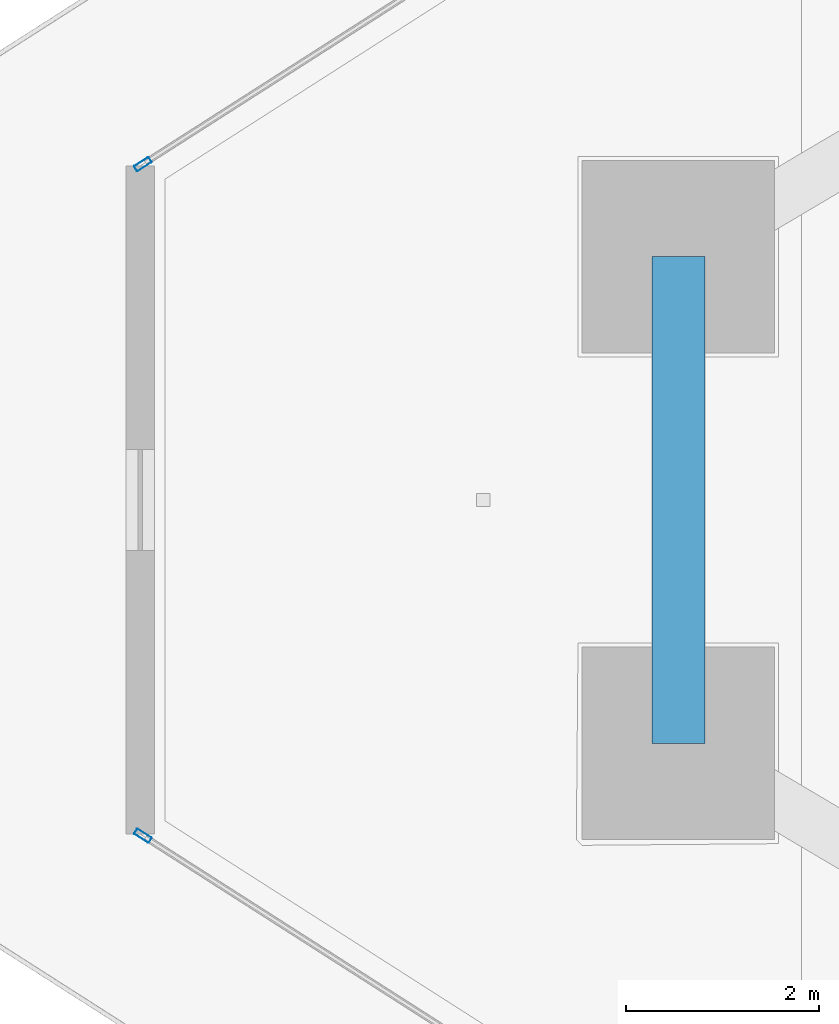
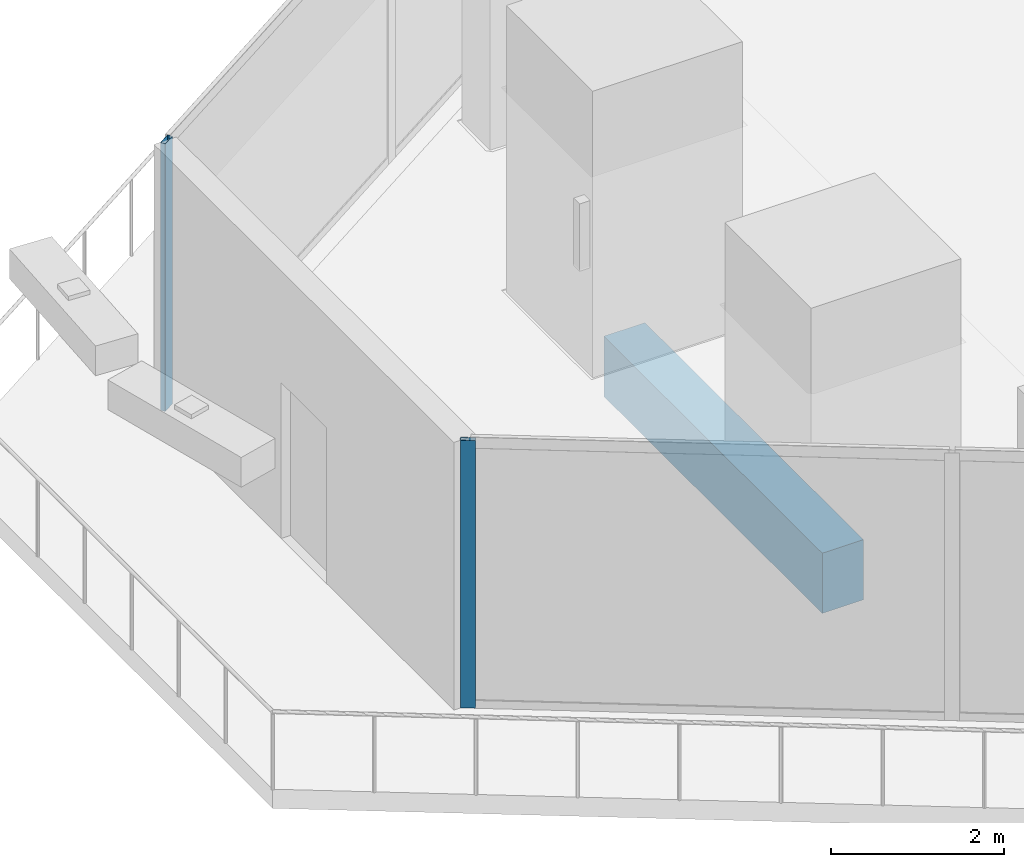
# One storey, part 7 of 36: 2 members, 1 beam, 2 elements without a shape of their own.
"""IFC4 building model written with IfcOpenShell, lengths in metres."""

from ifc_helpers import new_model, si_unit, direction, frame, origin, origin_2d, place, context, subcontext, project, spatial, rectangle, hollow_rectangle, extrude, material, layer, layer_set, material_profile, profile_set, type_object, element, aggregate, save


model = new_model("IFC4")

# Units and contexts
model_context = context("Model", 3, precision=1e-05, world=origin(), true_north=direction((0.0, 1.0)))
body_context = subcontext(model_context, "Body", "Model", "MODEL_VIEW")
ifc_project = project(units=[si_unit("LENGTHUNIT", "METRE"), si_unit("AREAUNIT", "SQUARE_METRE"), si_unit("VOLUMEUNIT", "CUBIC_METRE"), si_unit("PLANEANGLEUNIT", "RADIAN"), si_unit("MASSUNIT", "GRAM", prefix="KILO")], contexts=[model_context])

# Site, building, storey
site_placement = place(None, origin())
site = spatial("IfcSite", under=ifc_project, at=site_placement, CompositionType="ELEMENT")
building_placement = place(site_placement, origin())
building = spatial("IfcBuilding", under=site, at=building_placement, Name="Qorvath Tower", CompositionType="ELEMENT")
storey_placement = place(building_placement, frame((0.0, 0.0, 192.89990234375)))
storey = spatial("IfcBuildingStorey", under=building, at=storey_placement, Name="L44", CompositionType="ELEMENT", Elevation=192.89990234375)

# Beam
ifc_material_1 = material(Name="Concrete C50/60", Category="concrete")
ifc_material_profile_1 = material_profile(ifc_material_1, rectangle(XDim=0.550048828125, YDim=0.85009765625, at=origin_2d()), Name="RCB 850x550")
ifc_profile_set_1 = profile_set([ifc_material_profile_1], Name="Concrete C50/60")
beam_type = type_object("IfcBeamType", Name="BM-RCB2", PredefinedType="SPANDREL", material=ifc_profile_set_1)
beam_placement = place(storey_placement, frame((-49.171875, 2.52783203125, -0.695068359375), z_axis=(0.0, -1.0, 0.0), x_axis=(1.0, 0.0, 0.0)))
element("IfcBeam", 1, at=beam_placement, inside=storey, type_object=beam_type, Name="Perimeter Loggia Frame Beam MC1-MC2 L44", PredefinedType="SPANDREL", context=body_context, shape_type="SweptSolid", body=[
    extrude(rectangle(XDim=0.550048828125, YDim=0.85009765625, at=origin_2d()), origin(), (0.0, 0.0, 1.0), 5.0556640625),
])

# Curtain wall, member
ifc_material_2 = material(Name="Anodised aluminium and triple low-E glass", Category="aluminium")
ifc_layer = layer(ifc_material_2, 0.179931640625)
ifc_layer_set = layer_set([ifc_layer], Name="CW-SYS-3")
curtain_wall_type = type_object("IfcCurtainWallType", Name="CW-SYS-3", PredefinedType="NOTDEFINED", material=ifc_layer_set)
curtain_wall_1_placement = place(storey_placement, origin())
curtain_wall_1 = element("IfcCurtainWall", 2, at=curtain_wall_1_placement, inside=storey, type_object=curtain_wall_type, Name="Curtain Wall CW-3 CW-T-L44-2.1", PredefinedType="NOTDEFINED")
ifc_material_3 = material(Name="Anodised aluminium 6063-T6", Category="aluminium")
ifc_material_profile_2 = material_profile(ifc_material_3, hollow_rectangle(XDim=0.06494140625, YDim=0.179931640625, WallThickness=0.00341796875, InnerFilletRadius=0.00341796875, OuterFilletRadius=0.007080078125, at=origin_2d()), Name="CWM 180x65")
ifc_profile_set_2 = profile_set([ifc_material_profile_2], Name="Anodised aluminium 6063-T6")
member_type = type_object("IfcMemberType", Name="CWM-180", PredefinedType="MULLION", material=ifc_profile_set_2)
member_1_placement = place(storey_placement, frame((-54.7353515625, -3.489013671875, 0.0), z_axis=(0.0, 0.0, 1.0), x_axis=(0.538533623725, 0.842604020948, 0.0)))
member_1 = element("IfcMember", 3, at=member_1_placement, type_object=member_type, Name="CW-3 mullion 1", PredefinedType="MULLION", context=body_context, shape_type="SweptSolid", body=[
    extrude(hollow_rectangle(XDim=0.06494140625, YDim=0.179931640625, WallThickness=0.00341796875, InnerFilletRadius=0.00341796875, OuterFilletRadius=0.007080078125, at=origin_2d()), origin(), (0.0, 0.0, 1.0), 3.780029296875),
])
aggregate(curtain_wall_1, [member_1])

curtain_wall_2_placement = place(storey_placement, origin())
curtain_wall_2 = element("IfcCurtainWall", 4, at=curtain_wall_2_placement, inside=storey, type_object=curtain_wall_type, Name="Curtain Wall CW-3 CW-T-L44-16.1", PredefinedType="NOTDEFINED")
member_2_placement = place(storey_placement, frame((-54.7353515625, 3.489013671875, 0.0), z_axis=(0.0, 0.0, 1.0), x_axis=(0.538533623725, -0.842604020948, 0.0)))
member_2 = element("IfcMember", 5, at=member_2_placement, type_object=member_type, Name="CW-3 mullion 9", PredefinedType="MULLION", context=body_context, shape_type="SweptSolid", body=[
    extrude(hollow_rectangle(XDim=0.06494140625, YDim=0.179931640625, WallThickness=0.00341796875, InnerFilletRadius=0.00341796875, OuterFilletRadius=0.007080078125, at=origin_2d()), origin(), (0.0, 0.0, 1.0), 3.780029296875),
])
aggregate(curtain_wall_2, [member_2])

save(model, "model.ifc")
